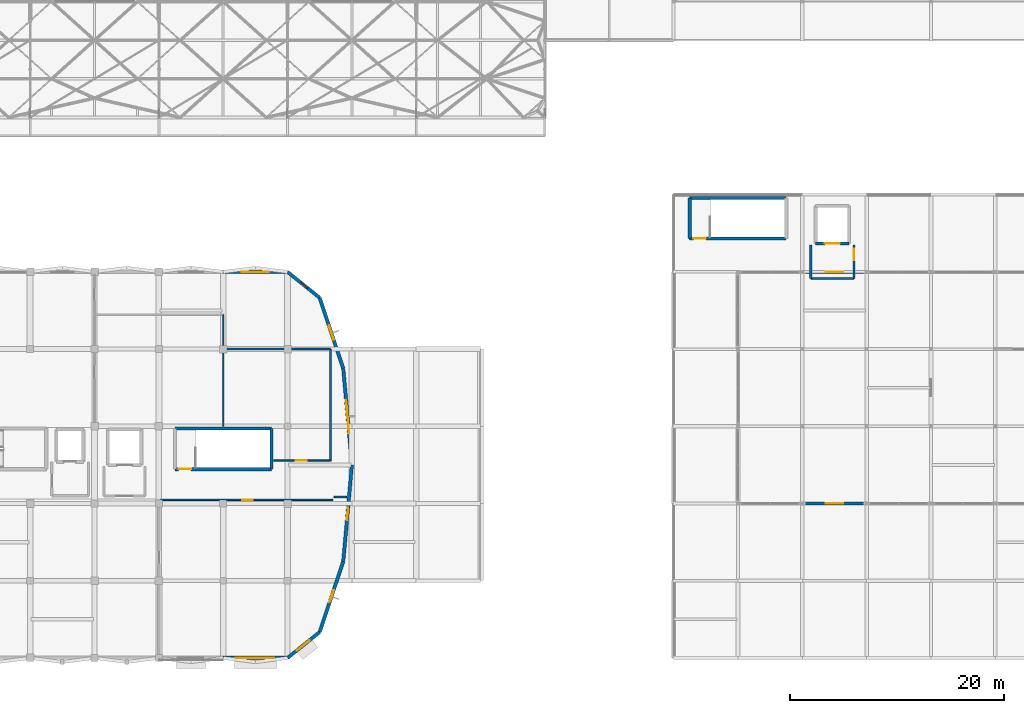
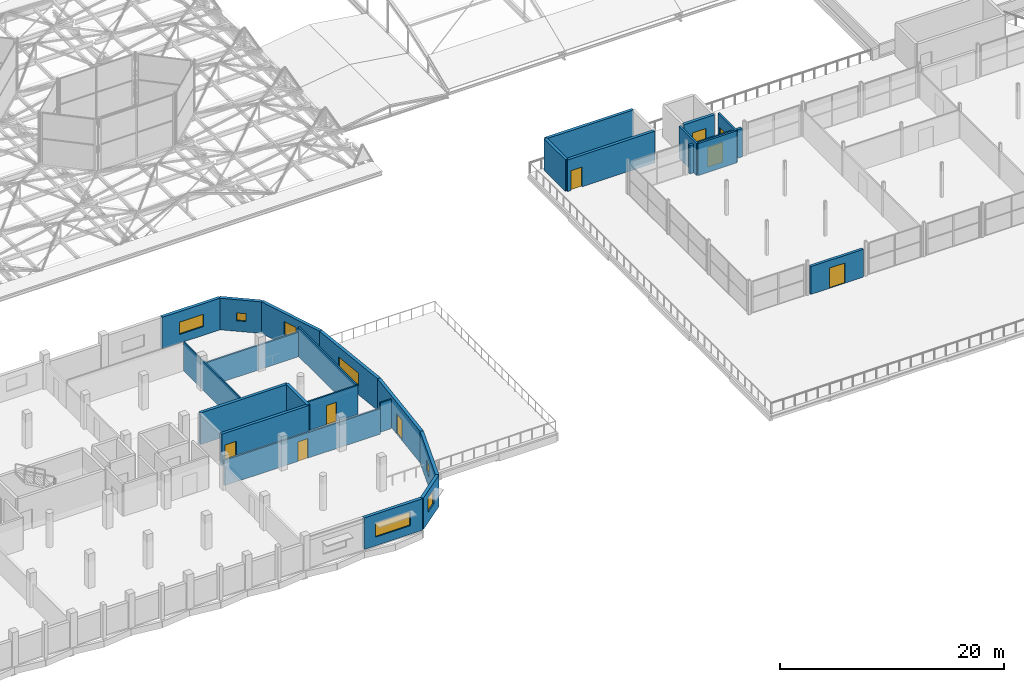
# One storey, part 228 of 239: 26 walls, 9 doors, 7 windows, 16 openings.
"""IFC4 building model written with IfcOpenShell, lengths in metres."""

import ifcopenshell
import ifcopenshell.guid

model = None  # the IFC model being written
_history = None  # IfcOwnerHistory: only IFC2X3 demands one
_inside = {}  # id of a spatial element -> (the spatial element, [elements in it])
_under = {}  # id of a project, library or spatial element -> (it, [spatial elements below it])
_declared = {}  # id of a project -> (the project, [libraries it declares])
_typed = {}  # id of a type object -> (the type object, [elements of that type])
_made_of = {}  # id of a material, layer set ... -> (it, [elements and type objects made of it])


def new_model(schema):
    """Start an empty IFC model of exactly this schema.

    Asked for "IFC4X3", IfcOpenShell would pick the latest addendum, in which some entities
    have other attributes; the version numbers below select the first issue.
    IFC2X3 requires an IfcOwnerHistory on every rooted entity: one is made here for all.
    """
    global model, _history
    if schema == "IFC4X3":
        model = ifcopenshell.file(schema_version=(4, 3, 0, 0))
    else:
        model = ifcopenshell.file(schema=schema)
    _inside.clear()
    _under.clear()
    _declared.clear()
    _typed.clear()
    _made_of.clear()
    _history = None
    if model.schema == "IFC2X3":
        org = make("IfcOrganization", Name="unknown")
        user = make(
            "IfcPersonAndOrganization",
            ThePerson=make("IfcPerson", FamilyName="unknown"),
            TheOrganization=org,
        )
        app = make(
            "IfcApplication",
            ApplicationDeveloper=org,
            Version="unknown",
            ApplicationFullName="unknown",
            ApplicationIdentifier="unknown",
        )
        _history = make(
            "IfcOwnerHistory",
            OwningUser=user,
            OwningApplication=app,
            ChangeAction="ADDED",
            CreationDate=0,
        )
    return model


def make(cls, **values):
    """One entity of the class cls with the attributes given. An attribute that is None is left unset."""
    return model.create_entity(
        cls, **{name: value for name, value in values.items() if value is not None}
    )


def rooted(cls, **values):
    """An entity with a GlobalId (a new one), such as an element, a storey or a relation."""
    return make(cls, GlobalId=ifcopenshell.guid.new(), OwnerHistory=_history, **values)


def si_unit(unit_type, name, prefix=None):
    """IfcSIUnit, for example si_unit("LENGTHUNIT", "METRE", prefix="MILLI")."""
    return make("IfcSIUnit", UnitType=unit_type, Prefix=prefix, Name=name)


def assignment(units):
    """IfcUnitAssignment: the units of a project."""
    return None if units is None else make("IfcUnitAssignment", Units=units)


def point(xyz):
    """IfcCartesianPoint."""
    return None if xyz is None else make("IfcCartesianPoint", Coordinates=xyz)


def direction(xyz):
    """IfcDirection."""
    return None if xyz is None else make("IfcDirection", DirectionRatios=xyz)


def frame(location, z_axis=None, x_axis=None):
    """IfcAxis2Placement3D, a coordinate frame: its origin and axes. An axis left out is left unset."""
    return make(
        "IfcAxis2Placement3D",
        Location=point(location),
        Axis=direction(z_axis),
        RefDirection=direction(x_axis),
    )


def frame_2d(location, x_axis=None):
    """IfcAxis2Placement2D, a coordinate frame in the plane: its origin and x axis."""
    return make(
        "IfcAxis2Placement2D", Location=point(location), RefDirection=direction(x_axis)
    )


def origin():
    """The frame at (0, 0, 0) with its axes left unset."""
    return frame((0.0, 0.0, 0.0))


def place(relative_to, where):
    """IfcLocalPlacement: puts the frame where relative to a parent placement (None: the world)."""
    return make(
        "IfcLocalPlacement", PlacementRelTo=relative_to, RelativePlacement=where
    )


def context(
    kind, dimensions, precision=None, world=None, true_north=None, identifier=None
):
    """IfcGeometricRepresentationContext, for example the 3D "Model" context."""
    return make(
        "IfcGeometricRepresentationContext",
        ContextIdentifier=identifier,
        ContextType=kind,
        CoordinateSpaceDimension=dimensions,
        Precision=precision,
        WorldCoordinateSystem=world,
        TrueNorth=true_north,
    )


def subcontext(parent, identifier, kind, view, scale=None):
    """IfcGeometricRepresentationSubContext, for example "Body" below "Model"."""
    return make(
        "IfcGeometricRepresentationSubContext",
        ContextIdentifier=identifier,
        ContextType=kind,
        ParentContext=parent,
        TargetScale=scale,
        TargetView=view,
    )


def project(units=None, contexts=None):
    """IfcProject with its units and contexts."""
    return rooted(
        "IfcProject",
        Name="project",
        RepresentationContexts=contexts,
        UnitsInContext=assignment(units),
    )


def spatial(cls, under=None, at=None, **own):
    """A site, building, storey or space (cls), placed at a placement, below another one or the project."""
    s = rooted(cls, ObjectPlacement=at, **own)
    if under is not None:
        _under.setdefault(under.id(), (under, []))[1].append(s)
    return s


def profile(cls, at=None, kind="AREA", **sizes):
    """A parametric profile (cls). Its sizes go by their IFC names, for example OverallWidth=200.0."""
    return make(cls, ProfileType=kind, Position=at, **sizes)


def rectangle(**sizes):
    """IfcRectangleProfileDef."""
    return profile("IfcRectangleProfileDef", **sizes)


def extrude(swept, where, along, depth):
    """IfcExtrudedAreaSolid: the profile swept, set in the frame where, extruded along a direction by depth."""
    return make(
        "IfcExtrudedAreaSolid",
        SweptArea=swept,
        Position=where,
        ExtrudedDirection=direction(along),
        Depth=depth,
    )


def shape(context_of_items, identifier, shape_type, items):
    """IfcShapeRepresentation: the items that make up one representation, for example the "Body"."""
    return make(
        "IfcShapeRepresentation",
        ContextOfItems=context_of_items,
        RepresentationIdentifier=identifier,
        RepresentationType=shape_type,
        Items=items,
    )


def material(Name=None, Category=None):
    """IfcMaterial."""
    return make("IfcMaterial", Name=Name, Category=Category)


def layer(
    of_material, thickness, ventilated=None, Name=None, Category=None, Priority=None
):
    """IfcMaterialLayer: one layer of a wall or slab, of a material (None: an air gap)."""
    return make(
        "IfcMaterialLayer",
        Material=of_material,
        LayerThickness=thickness,
        IsVentilated=ventilated,
        Name=Name,
        Category=Category,
        Priority=Priority,
    )


def layer_set(layers, Name=None):
    """IfcMaterialLayerSet."""
    return make("IfcMaterialLayerSet", MaterialLayers=layers, LayerSetName=Name)


def made_of(thing, what):
    """Note that an element or type object is made of a material, layer set ...; save() writes the relation."""
    if what is not None:
        _made_of.setdefault(what.id(), (what, []))[1].append(thing)
    return thing


def type_object(cls, material=None, **own):
    """A type object (cls), such as IfcWallType, which elements share."""
    return made_of(rooted(cls, **own), material)


def element(
    cls,
    number,
    at=None,
    inside=None,
    cuts=None,
    type_object=None,
    material=None,
    context=None,
    identifier="Body",
    shape_type=None,
    held_by="IfcProductDefinitionShape",
    body=None,
    shapes=None,
    **own,
):
    """One element of the class cls, such as IfcWall. Its Tag is "e" and its number.

    at: its placement. inside: the storey or other place that contains it. cuts: it is an
    opening in that element (IfcRelVoidsElement). A single representation is given by context,
    identifier, shape_type and body (its items); several are given by shapes. held_by: the class
    of the entity that holds the representations. save() writes the other relations.
    """
    e = rooted(cls, Tag="e%d" % number, ObjectPlacement=at, **own)
    if body is not None:
        shapes = [shape(context, identifier, shape_type, body)]
    if shapes is not None:
        e.Representation = make(held_by, Representations=shapes)
    if inside is not None:
        _inside.setdefault(inside.id(), (inside, []))[1].append(e)
    if cuts is not None:
        rooted(
            "IfcRelVoidsElement", RelatingBuildingElement=cuts, RelatedOpeningElement=e
        )
    if type_object is not None:
        _typed.setdefault(type_object.id(), (type_object, []))[1].append(e)
    return made_of(e, material)


def fill(opening, filler):
    """IfcRelFillsElement: the door or window that sits in an opening."""
    return rooted(
        "IfcRelFillsElement",
        RelatingOpeningElement=opening,
        RelatedBuildingElement=filler,
    )


def aggregate(whole, parts):
    """IfcRelAggregates: a whole, such as a stair, and the parts it consists of."""
    return rooted("IfcRelAggregates", RelatingObject=whole, RelatedObjects=parts)


def save(model, path):
    """Write the relations noted so far, then the file.

    IfcRelAggregates (storeys below a building ...), IfcRelContainedInSpatialStructure (elements
    in a storey), IfcRelDefinesByType, IfcRelAssociatesMaterial and IfcRelDeclares: one each for
    every whole, place, type object, material and project.
    """
    for whole, parts in _under.values():
        aggregate(whole, parts)
    for where, things in _inside.values():
        rooted(
            "IfcRelContainedInSpatialStructure",
            RelatedElements=things,
            RelatingStructure=where,
        )
    for kind, things in _typed.values():
        rooted("IfcRelDefinesByType", RelatedObjects=things, RelatingType=kind)
    for what, things in _made_of.values():
        rooted("IfcRelAssociatesMaterial", RelatedObjects=things, RelatingMaterial=what)
    for by, libraries in _declared.values():
        rooted("IfcRelDeclares", RelatingContext=by, RelatedDefinitions=libraries)
    model.write(path)


model = new_model("IFC4")

# Units and contexts
model_context = context("Model", 3, precision=1e-05, world=origin(), true_north=direction((0.0, 1.0)))
body_context = subcontext(model_context, "Body", "Model", "MODEL_VIEW")
ifc_project = project(units=[si_unit("LENGTHUNIT", "METRE"), si_unit("AREAUNIT", "SQUARE_METRE"), si_unit("VOLUMEUNIT", "CUBIC_METRE"), si_unit("PLANEANGLEUNIT", "RADIAN"), si_unit("MASSUNIT", "GRAM", prefix="KILO")], contexts=[model_context])

# Site, building, storey
site_placement = place(None, origin())
site = spatial("IfcSite", under=ifc_project, at=site_placement, CompositionType="ELEMENT")
building_placement = place(site_placement, origin())
building = spatial("IfcBuilding", under=site, at=building_placement, Name="Dunvalen Ferry Terminal", CompositionType="ELEMENT")
storey_placement = place(building_placement, frame((0.0, 0.0, 9.840087890625)))
storey = spatial("IfcBuildingStorey", under=building, at=storey_placement, Name="L02", CompositionType="ELEMENT", Elevation=9.840087890625)

# Wall, opening, door
ifc_material_1 = material(Name="Precast concrete C40/50", Category="concrete")
ifc_layer_1 = layer(ifc_material_1, 0.27001953125, Name="Precast concrete C40/50")
ifc_layer_set_1 = layer_set([ifc_layer_1], Name="Precast concrete C40/50")
wall_type_1 = type_object("IfcWallType", Name="ENV-WL-PAV270", PredefinedType="SOLIDWALL", material=ifc_layer_set_1)
wall_1_placement = place(storey_placement, frame((120.300048828125, 14.39990234375, 0.0), z_axis=(0.0, 0.0, 1.0), x_axis=(1.0, 0.0, 0.0)))
wall_1 = element("IfcWall", 1, at=wall_1_placement, inside=storey, type_object=wall_type_1, Name="L02 Promenade Pavilion S Entrance Wall 2", PredefinedType="SOLIDWALL", context=body_context, shape_type="SweptSolid", body=[
    extrude(rectangle(XDim=5.39990234375, YDim=0.27001953125, at=frame_2d((2.699951171875, 0.0))), origin(), (0.0, 0.0, 1.0), 3.032958984375),
])
opening_1_placement = place(wall_1_placement, frame((1.89990234375, 0.0, 0.0)))
opening_1 = element("IfcOpeningElement", 2, at=opening_1_placement, cuts=wall_1, Name="Opening ED-04", PredefinedType="OPENING", context=body_context, shape_type="SweptSolid", body=[
    extrude(rectangle(XDim=1.60009765625, YDim=2.199951171875, at=frame_2d((0.800048828125, 1.10009765625))), frame((0.0, 0.14501953125, 0.0), z_axis=(0.0, -1.0, 0.0), x_axis=(1.0, 0.0, 0.0)), (0.0, 0.0, 1.0), 0.2900390625),
])
ifc_material_2 = material(Name="Marine grade powder-coated aluminium and laminated glass", Category="aluminium")
door_type_1 = type_object("IfcDoorType", Name="ENV-DR-EXT-1600", OperationType="DOUBLE_SWING_LEFT", PredefinedType="DOOR", material=ifc_material_2)
door_1_placement = place(opening_1_placement, frame((1.60009765625, 0.0, 0.0), z_axis=(0.0, 0.0, 1.0), x_axis=(-1.0, 0.0, 0.0)))
door_1 = element("IfcDoor", 3, at=door_1_placement, inside=storey, type_object=door_type_1, Name="L02 Promenade Pavilion S Terrace Door 2", OperationType="DOUBLE_SWING_LEFT", OverallHeight=2.199951171875, OverallWidth=1.60009765625, PredefinedType="DOOR", context=body_context, shape_type="SweptSolid", body=[
    extrude(rectangle(XDim=1.60009765625, YDim=2.199951171875, at=frame_2d((0.800048828125, 1.10009765625))), frame((0.0, 0.02490234375, 0.0), z_axis=(0.0, -1.0, 0.0), x_axis=(1.0, 0.0, 0.0)), (0.0, 0.0, 1.0), 0.050048828125),
])
fill(opening_1, door_1)

wall_2_placement = place(storey_placement, frame((120.300048828125, 36.0, 0.0), z_axis=(0.0, 0.0, 1.0), x_axis=(1.0, 0.0, 0.0)))
wall_2 = element("IfcWall", 4, at=wall_2_placement, inside=storey, type_object=wall_type_1, Name="L02 Promenade Pavilion N Entrance Wall 2", PredefinedType="SOLIDWALL", context=body_context, shape_type="SweptSolid", body=[
    extrude(rectangle(XDim=5.39990234375, YDim=0.27001953125, at=frame_2d((2.699951171875, 0.0))), origin(), (0.0, 0.0, 1.0), 3.08349609375),
])
opening_2_placement = place(wall_2_placement, frame((1.89990234375, 0.0, 0.0)))
opening_2 = element("IfcOpeningElement", 5, at=opening_2_placement, cuts=wall_2, Name="Opening ED-04", PredefinedType="OPENING", context=body_context, shape_type="SweptSolid", body=[
    extrude(rectangle(XDim=1.60009765625, YDim=2.199951171875, at=frame_2d((0.800048828125, 1.10009765625))), frame((0.0, 0.14501953125, 0.0), z_axis=(0.0, -1.0, 0.0), x_axis=(1.0, 0.0, 0.0)), (0.0, 0.0, 1.0), 0.2900390625),
])
door_2_placement = place(opening_2_placement, origin())
door_2 = element("IfcDoor", 6, at=door_2_placement, inside=storey, type_object=door_type_1, Name="L02 Promenade Pavilion N Terrace Door 2", OperationType="DOUBLE_SWING_LEFT", OverallHeight=2.199951171875, OverallWidth=1.60009765625, PredefinedType="DOOR", context=body_context, shape_type="SweptSolid", body=[
    extrude(rectangle(XDim=1.60009765625, YDim=2.199951171875, at=frame_2d((0.800048828125, 1.10009765625))), frame((0.0, 0.02490234375, 0.0), z_axis=(0.0, -1.0, 0.0), x_axis=(1.0, 0.0, 0.0)), (0.0, 0.0, 1.0), 0.050048828125),
])
fill(opening_2, door_2)

# Wall, opening, window
ifc_layer_2 = layer(ifc_material_1, 0.320068359375, Name="Precast concrete C40/50")
ifc_layer_set_2 = layer_set([ifc_layer_2], Name="Precast concrete C40/50")
wall_type_2 = type_object("IfcWallType", Name="ENV-WL-SPN320", PredefinedType="SOLIDWALL", material=ifc_layer_set_2)
wall_3_placement = place(storey_placement, frame((66.0, 0.0, 0.0), z_axis=(0.0, 0.0, 1.0), x_axis=(1.0, 0.0, 0.0)))
wall_3 = element("IfcWall", 7, at=wall_3_placement, inside=storey, type_object=wall_type_2, Name="L02 Streamline Moderne Facade Wall 01.10", PredefinedType="SOLIDWALL", context=body_context, shape_type="SweptSolid", body=[
    extrude(rectangle(XDim=6.0, YDim=0.320068359375, at=frame_2d((3.0, 0.0))), origin(), (0.0, 0.0, 1.0), 3.43994140625),
])
opening_3_placement = place(wall_3_placement, frame((1.148193359375, 0.0, 0.949951171875)))
opening_3 = element("IfcOpeningElement", 8, at=opening_3_placement, cuts=wall_3, Name="Opening W-23", PredefinedType="OPENING", context=body_context, shape_type="SweptSolid", body=[
    extrude(rectangle(XDim=3.60009765625, YDim=1.5, at=frame_2d((1.800048828125, 0.75))), frame((0.0, 0.169921875, 0.0), z_axis=(0.0, -1.0, 0.0), x_axis=(1.0, 0.0, 0.0)), (0.0, 0.0, 1.0), 0.340087890625),
])
ifc_material_3 = material(Name="Thermally broken aluminium and double glazing", Category="aluminium")
window_type_1 = type_object("IfcWindowType", Name="ENV-WIN-RIB-23", PartitioningType="SINGLE_PANEL", PredefinedType="WINDOW", material=ifc_material_3)
window_1_placement = place(opening_3_placement, origin())
window_1 = element("IfcWindow", 9, at=window_1_placement, inside=storey, type_object=window_type_1, Name="L02 Streamline Ribbon Window 01.10", OverallHeight=1.5, OverallWidth=3.60009765625, PartitioningType="SINGLE_PANEL", PredefinedType="WINDOW", context=body_context, shape_type="SweptSolid", body=[
    extrude(rectangle(XDim=3.60009765625, YDim=1.5, at=frame_2d((1.800048828125, 0.75))), frame((0.0, 0.030029296875, 0.0), z_axis=(0.0, -1.0, 0.0), x_axis=(1.0, 0.0, 0.0)), (0.0, 0.0, 1.0), 0.06005859375),
])
fill(opening_3, window_1)

wall_4_placement = place(storey_placement, frame((72.0, 0.0, 0.0), z_axis=(0.0, 0.0, 1.0), x_axis=(0.779393889884, 0.626534248395, 0.0)))
wall_4 = element("IfcWall", 10, at=wall_4_placement, inside=storey, type_object=wall_type_2, Name="L02 Streamline Moderne Facade Wall 02.01", PredefinedType="SOLIDWALL", context=body_context, shape_type="SweptSolid", body=[
    extrude(rectangle(XDim=3.84912109375, YDim=0.320068359375, at=frame_2d((1.924560546875, 0.0))), origin(), (0.0, 0.0, 1.0), 3.43994140625),
])
opening_4_placement = place(wall_4_placement, frame((1.124267578125, 0.0, 1.14990234375)))
opening_4 = element("IfcOpeningElement", 11, at=opening_4_placement, cuts=wall_4, Name="Opening W-44", PredefinedType="OPENING", context=body_context, shape_type="SweptSolid", body=[
    extrude(rectangle(XDim=1.5, YDim=1.5, at=frame_2d((0.75, 0.75))), frame((0.0, 0.169921875, 0.0), z_axis=(0.0, -1.0, 0.0), x_axis=(1.0, 0.0, 0.0)), (0.0, 0.0, 1.0), 0.340087890625),
])
window_type_2 = type_object("IfcWindowType", Name="ENV-WIN-PRT-44", PartitioningType="SINGLE_PANEL", PredefinedType="WINDOW", material=ifc_material_3)
window_2_placement = place(opening_4_placement, origin())
window_2 = element("IfcWindow", 12, at=window_2_placement, inside=storey, type_object=window_type_2, Name="L02 Streamline Ribbon Window 02.01", OverallHeight=1.5, OverallWidth=1.5, PartitioningType="SINGLE_PANEL", PredefinedType="WINDOW", context=body_context, shape_type="SweptSolid", body=[
    extrude(rectangle(XDim=1.5, YDim=1.5, at=frame_2d((0.75, 0.75))), frame((0.0, 0.030029296875, 0.0), z_axis=(0.0, -1.0, 0.0), x_axis=(1.0, 0.0, 0.0)), (0.0, 0.0, 1.0), 0.06005859375),
])
fill(opening_4, window_2)

wall_5_placement = place(storey_placement, frame((75.0, 2.41162109375, 0.0), z_axis=(0.0, 0.0, 1.0), x_axis=(0.31624885857, 0.948676266939, 0.0)))
wall_5 = element("IfcWall", 13, at=wall_5_placement, inside=storey, type_object=wall_type_2, Name="L02 Streamline Moderne Facade Wall 03.01", PredefinedType="SOLIDWALL", context=body_context, shape_type="SweptSolid", body=[
    extrude(rectangle(XDim=6.94482421875, YDim=0.320068359375, at=frame_2d((3.472412109375, 0.0))), origin(), (0.0, 0.0, 1.0), 3.43994140625),
])
opening_5_placement = place(wall_5_placement, frame((2.922607421875, 0.0, 1.14990234375)))
opening_5 = element("IfcOpeningElement", 14, at=opening_5_placement, cuts=wall_5, Name="Opening W-17", PredefinedType="OPENING", context=body_context, shape_type="SweptSolid", body=[
    extrude(rectangle(XDim=1.199951171875, YDim=1.199951171875, at=frame_2d((0.60009765625, 0.60009765625))), frame((0.0, 0.169921875, 0.0), z_axis=(0.0, -1.0, 0.0), x_axis=(1.0, 0.0, 0.0)), (0.0, 0.0, 1.0), 0.340087890625),
])
window_type_3 = type_object("IfcWindowType", Name="ENV-WIN-PRT-17", PartitioningType="SINGLE_PANEL", PredefinedType="WINDOW", material=ifc_material_3)
window_3_placement = place(opening_5_placement, origin())
window_3 = element("IfcWindow", 15, at=window_3_placement, inside=storey, type_object=window_type_3, Name="L02 Streamline Ribbon Window 03.01", OverallHeight=1.199951171875, OverallWidth=1.199951171875, PartitioningType="SINGLE_PANEL", PredefinedType="WINDOW", context=body_context, shape_type="SweptSolid", body=[
    extrude(rectangle(XDim=1.199951171875, YDim=1.199951171875, at=frame_2d((0.60009765625, 0.60009765625))), frame((0.0, 0.030029296875, 0.0), z_axis=(0.0, -1.0, 0.0), x_axis=(1.0, 0.0, 0.0)), (0.0, 0.0, 1.0), 0.06005859375),
])
fill(opening_5, window_3)

# Wall, opening, door
wall_6_placement = place(storey_placement, frame((77.1962890625, 9.0, 0.0), z_axis=(0.0, 0.0, 1.0), x_axis=(0.088947255406, 0.996036337568, 0.0)))
wall_6 = element("IfcWall", 16, at=wall_6_placement, inside=storey, type_object=wall_type_2, Name="L02 Streamline Moderne Facade Wall 04.01", PredefinedType="SOLIDWALL", context=body_context, shape_type="SweptSolid", body=[
    extrude(rectangle(XDim=9.035888671875, YDim=0.320068359375, at=frame_2d((4.51806640625, 0.0))), origin(), (0.0, 0.0, 1.0), 3.43994140625),
])
opening_6_placement = place(wall_6_placement, frame((3.841796875, 0.0, 0.0)))
opening_6 = element("IfcOpeningElement", 17, at=opening_6_placement, cuts=wall_6, Name="Opening ED-05", PredefinedType="OPENING", context=body_context, shape_type="SweptSolid", body=[
    extrude(rectangle(XDim=1.199951171875, YDim=2.199951171875, at=frame_2d((0.60009765625, 1.10009765625))), frame((0.0, 0.169921875, 0.0), z_axis=(0.0, -1.0, 0.0), x_axis=(1.0, 0.0, 0.0)), (0.0, 0.0, 1.0), 0.340087890625),
])
door_type_2 = type_object("IfcDoorType", Name="ENV-DR-EXT-1200", OperationType="NOTDEFINED", PredefinedType="DOOR", material=ifc_material_2)
door_3_placement = place(opening_6_placement, frame((1.199951171875, 0.0, 0.0), z_axis=(0.0, 0.0, 1.0), x_axis=(-1.0, 0.0, 0.0)))
door_3 = element("IfcDoor", 18, at=door_3_placement, inside=storey, type_object=door_type_2, Name="L02 East Prow Terrace Lounge Access Door", OperationType="SINGLE_SWING_LEFT", OverallHeight=2.199951171875, OverallWidth=1.199951171875, PredefinedType="DOOR", context=body_context, shape_type="SweptSolid", body=[
    extrude(rectangle(XDim=1.199951171875, YDim=2.199951171875, at=frame_2d((0.60009765625, 1.10009765625))), frame((0.0, 0.02490234375, 0.0), z_axis=(0.0, -1.0, 0.0), x_axis=(1.0, 0.0, 0.0)), (0.0, 0.0, 1.0), 0.050048828125),
])
fill(opening_6, door_3)

# Wall, opening, window
wall_7_placement = place(storey_placement, frame((78.0, 18.0, 0.0), z_axis=(0.0, 0.0, 1.0), x_axis=(-0.088947255406, 0.996036337568, 0.0)))
wall_7 = element("IfcWall", 19, at=wall_7_placement, inside=storey, type_object=wall_type_2, Name="L02 Streamline Moderne Facade Wall 05.01", PredefinedType="SOLIDWALL", context=body_context, shape_type="SweptSolid", body=[
    extrude(rectangle(XDim=9.035888671875, YDim=0.320068359375, at=frame_2d((4.51806640625, 0.0))), origin(), (0.0, 0.0, 1.0), 3.43994140625),
])
opening_7_placement = place(wall_7_placement, frame((2.968017578125, 0.0, 0.949951171875)))
opening_7 = element("IfcOpeningElement", 20, at=opening_7_placement, cuts=wall_7, Name="Opening W-26", PredefinedType="OPENING", context=body_context, shape_type="SweptSolid", body=[
    extrude(rectangle(XDim=3.10009765625, YDim=1.39990234375, at=frame_2d((1.550048828125, 0.699951171875))), frame((0.0, 0.169921875, 0.0), z_axis=(0.0, -1.0, 0.0), x_axis=(1.0, 0.0, 0.0)), (0.0, 0.0, 1.0), 0.340087890625),
])
window_type_4 = type_object("IfcWindowType", Name="ENV-WIN-RIB-26", PartitioningType="SINGLE_PANEL", PredefinedType="WINDOW", material=ifc_material_3)
window_4_placement = place(opening_7_placement, origin())
window_4 = element("IfcWindow", 21, at=window_4_placement, inside=storey, type_object=window_type_4, Name="L02 Streamline Ribbon Window 05.01", OverallHeight=1.39990234375, OverallWidth=3.10009765625, PartitioningType="SINGLE_PANEL", PredefinedType="WINDOW", context=body_context, shape_type="SweptSolid", body=[
    extrude(rectangle(XDim=3.10009765625, YDim=1.39990234375, at=frame_2d((1.550048828125, 0.699951171875))), frame((0.0, 0.030029296875, 0.0), z_axis=(0.0, -1.0, 0.0), x_axis=(1.0, 0.0, 0.0)), (0.0, 0.0, 1.0), 0.06005859375),
])
fill(opening_7, window_4)

wall_8_placement = place(storey_placement, frame((77.1962890625, 27.0, 0.0), z_axis=(0.0, 0.0, 1.0), x_axis=(-0.31624885857, 0.948676266939, 0.0)))
wall_8 = element("IfcWall", 22, at=wall_8_placement, inside=storey, type_object=wall_type_2, Name="L02 Streamline Moderne Facade Wall 06.01", PredefinedType="SOLIDWALL", context=body_context, shape_type="SweptSolid", body=[
    extrude(rectangle(XDim=6.94482421875, YDim=0.320068359375, at=frame_2d((3.472412109375, 0.0))), origin(), (0.0, 0.0, 1.0), 3.43994140625),
])
opening_8_placement = place(wall_8_placement, frame((2.822509765625, 0.0, 1.14990234375)))
opening_8 = element("IfcOpeningElement", 23, at=opening_8_placement, cuts=wall_8, Name="Opening W-19", PredefinedType="OPENING", context=body_context, shape_type="SweptSolid", body=[
    extrude(rectangle(XDim=1.39990234375, YDim=1.39990234375, at=frame_2d((0.699951171875, 0.699951171875))), frame((0.0, 0.169921875, 0.0), z_axis=(0.0, -1.0, 0.0), x_axis=(1.0, 0.0, 0.0)), (0.0, 0.0, 1.0), 0.340087890625),
])
window_type_5 = type_object("IfcWindowType", Name="ENV-WIN-PRT-19", PartitioningType="SINGLE_PANEL", PredefinedType="WINDOW", material=ifc_material_3)
window_5_placement = place(opening_8_placement, origin())
window_5 = element("IfcWindow", 24, at=window_5_placement, inside=storey, type_object=window_type_5, Name="L02 Streamline Ribbon Window 06.01", OverallHeight=1.39990234375, OverallWidth=1.39990234375, PartitioningType="SINGLE_PANEL", PredefinedType="WINDOW", context=body_context, shape_type="SweptSolid", body=[
    extrude(rectangle(XDim=1.39990234375, YDim=1.39990234375, at=frame_2d((0.699951171875, 0.699951171875))), frame((0.0, 0.030029296875, 0.0), z_axis=(0.0, -1.0, 0.0), x_axis=(1.0, 0.0, 0.0)), (0.0, 0.0, 1.0), 0.06005859375),
])
fill(opening_8, window_5)

wall_9_placement = place(storey_placement, frame((75.0, 33.58837890625, 0.0), z_axis=(0.0, 0.0, 1.0), x_axis=(-0.779393889884, 0.626534248395, 0.0)))
wall_9 = element("IfcWall", 25, at=wall_9_placement, inside=storey, type_object=wall_type_2, Name="L02 Streamline Moderne Facade Wall 07.01", PredefinedType="SOLIDWALL", context=body_context, shape_type="SweptSolid", body=[
    extrude(rectangle(XDim=3.84912109375, YDim=0.320068359375, at=frame_2d((1.924560546875, 0.0))), origin(), (0.0, 0.0, 1.0), 3.43994140625),
])
opening_9_placement = place(wall_9_placement, frame((1.4482421875, 0.0, 1.14990234375)))
opening_9 = element("IfcOpeningElement", 26, at=opening_9_placement, cuts=wall_9, Name="Opening W-20", PredefinedType="OPENING", context=body_context, shape_type="SweptSolid", body=[
    extrude(rectangle(XDim=0.85009765625, YDim=0.85009765625, at=frame_2d((0.425048828125, 0.425048828125))), frame((0.0, 0.169921875, 0.0), z_axis=(0.0, -1.0, 0.0), x_axis=(1.0, 0.0, 0.0)), (0.0, 0.0, 1.0), 0.340087890625),
])
window_type_6 = type_object("IfcWindowType", Name="ENV-WIN-PRT-20", PartitioningType="SINGLE_PANEL", PredefinedType="WINDOW", material=ifc_material_3)
window_6_placement = place(opening_9_placement, origin())
window_6 = element("IfcWindow", 27, at=window_6_placement, inside=storey, type_object=window_type_6, Name="L02 Streamline Ribbon Window 07.01", OverallHeight=0.85009765625, OverallWidth=0.85009765625, PartitioningType="SINGLE_PANEL", PredefinedType="WINDOW", context=body_context, shape_type="SweptSolid", body=[
    extrude(rectangle(XDim=0.85009765625, YDim=0.85009765625, at=frame_2d((0.425048828125, 0.425048828125))), frame((0.0, 0.030029296875, 0.0), z_axis=(0.0, -1.0, 0.0), x_axis=(1.0, 0.0, 0.0)), (0.0, 0.0, 1.0), 0.06005859375),
])
fill(opening_9, window_6)

wall_10_placement = place(storey_placement, frame((72.0, 36.0, 0.0), z_axis=(0.0, 0.0, 1.0), x_axis=(-1.0, 0.0, 0.0)))
wall_10 = element("IfcWall", 28, at=wall_10_placement, inside=storey, type_object=wall_type_2, Name="L02 Streamline Moderne Facade Wall 08.01", PredefinedType="SOLIDWALL", context=body_context, shape_type="SweptSolid", body=[
    extrude(rectangle(XDim=6.0, YDim=0.320068359375, at=frame_2d((3.0, 0.0))), origin(), (0.0, 0.0, 1.0), 3.43994140625),
])
opening_10_placement = place(wall_10_placement, frame((1.75, 0.0, 0.949951171875)))
opening_10 = element("IfcOpeningElement", 29, at=opening_10_placement, cuts=wall_10, Name="Opening W-29", PredefinedType="OPENING", context=body_context, shape_type="SweptSolid", body=[
    extrude(rectangle(XDim=2.5, YDim=1.35009765625, at=frame_2d((1.25, 0.675048828125))), frame((0.0, 0.169921875, 0.0), z_axis=(0.0, -1.0, 0.0), x_axis=(1.0, 0.0, 0.0)), (0.0, 0.0, 1.0), 0.340087890625),
])
window_type_7 = type_object("IfcWindowType", Name="ENV-WIN-RIB-29", PartitioningType="SINGLE_PANEL", PredefinedType="WINDOW", material=ifc_material_3)
window_7_placement = place(opening_10_placement, origin())
window_7 = element("IfcWindow", 30, at=window_7_placement, inside=storey, type_object=window_type_7, Name="L02 Streamline Ribbon Window 08.01", OverallHeight=1.35009765625, OverallWidth=2.5, PartitioningType="SINGLE_PANEL", PredefinedType="WINDOW", context=body_context, shape_type="SweptSolid", body=[
    extrude(rectangle(XDim=2.5, YDim=1.35009765625, at=frame_2d((1.25, 0.675048828125))), frame((0.0, 0.030029296875, 0.0), z_axis=(0.0, -1.0, 0.0), x_axis=(1.0, 0.0, 0.0)), (0.0, 0.0, 1.0), 0.06005859375),
])
fill(opening_10, window_7)

# Walls
ifc_material_4 = material(Name="Autoclaved aerated concrete blockwork", Category="masonry")
ifc_layer_3 = layer(ifc_material_4, 0.199951171875, Name="Autoclaved aerated concrete blockwork")
ifc_layer_set_3 = layer_set([ifc_layer_3], Name="Autoclaved aerated concrete blockwork")
wall_type_3 = type_object("IfcWallType", Name="INT-WL-CMP200", PredefinedType="PARTITIONING", material=ifc_layer_set_3)
wall_11_placement = place(storey_placement, frame((120.7900390625, 38.510009765625, 0.0), z_axis=(0.0, 0.0, 1.0), x_axis=(0.0, -1.0, 0.0)))
element("IfcWall", 31, at=wall_11_placement, inside=storey, type_object=wall_type_3, Name="L02 L02 Lift Lobby LG-02 Partition 1", PredefinedType="PARTITIONING", context=body_context, shape_type="SweptSolid", body=[
    extrude(rectangle(XDim=3.1201171875, YDim=0.199951171875, at=frame_2d((1.56005859375, 0.0))), origin(), (0.0, 0.0, 1.0), 3.47998046875),
])
wall_12_placement = place(storey_placement, frame((120.7900390625, 35.389892578125, 0.0), z_axis=(0.0, 0.0, 1.0), x_axis=(1.0, 0.0, 0.0)))
element("IfcWall", 32, at=wall_12_placement, inside=storey, type_object=wall_type_3, Name="L02 L02 Lift Lobby LG-02 Partition 2", PredefinedType="PARTITIONING", context=body_context, shape_type="SweptSolid", body=[
    extrude(rectangle(XDim=4.02001953125, YDim=0.199951171875, at=frame_2d((2.010009765625, 0.0))), origin(), (0.0, 0.0, 1.0), 3.47998046875),
])

# Wall, opening, door
wall_13_placement = place(storey_placement, frame((124.81005859375, 35.389892578125, 0.0), z_axis=(0.0, 0.0, 1.0), x_axis=(0.0, 1.0, 0.0)))
wall_13 = element("IfcWall", 33, at=wall_13_placement, inside=storey, type_object=wall_type_3, Name="L02 L02 Lift Lobby LG-02 Partition 3", PredefinedType="PARTITIONING", context=body_context, shape_type="SweptSolid", body=[
    extrude(rectangle(XDim=3.1201171875, YDim=0.199951171875, at=frame_2d((1.56005859375, 0.0))), origin(), (0.0, 0.0, 1.0), 3.47998046875),
])
opening_11_placement = place(wall_13_placement, frame((1.679931640625, 0.0, 0.0)))
opening_11 = element("IfcOpeningElement", 34, at=opening_11_placement, cuts=wall_13, Name="Opening ID-03", PredefinedType="OPENING", context=body_context, shape_type="SweptSolid", body=[
    extrude(rectangle(XDim=1.10009765625, YDim=2.14990234375, at=frame_2d((0.550048828125, 1.074951171875))), frame((0.0, 0.10986328125, 0.0), z_axis=(0.0, -1.0, 0.0), x_axis=(1.0, 0.0, 0.0)), (0.0, 0.0, 1.0), 0.219970703125),
])
ifc_material_5 = material(Name="Powder-coated steel fire door", Category="steel")
door_type_3 = type_object("IfcDoorType", Name="INT-DR-FFL-1100", OperationType="NOTDEFINED", PredefinedType="DOOR", material=ifc_material_5)
door_4_placement = place(opening_11_placement, origin())
door_4 = element("IfcDoor", 35, at=door_4_placement, inside=storey, type_object=door_type_3, Name="L02 Lift Lobby LG-02 Door", OperationType="SINGLE_SWING_RIGHT", OverallHeight=2.14990234375, OverallWidth=1.10009765625, PredefinedType="DOOR", context=body_context, shape_type="SweptSolid", body=[
    extrude(rectangle(XDim=1.10009765625, YDim=2.14990234375, at=frame_2d((0.550048828125, 1.074951171875))), frame((0.0, 0.02490234375, 0.0), z_axis=(0.0, -1.0, 0.0), x_axis=(1.0, 0.0, 0.0)), (0.0, 0.0, 1.0), 0.050048828125),
])
fill(opening_11, door_4)

# Walls
ifc_material_6 = material(Name="Metal-stud partition", Category="gypsum")
ifc_layer_4 = layer(ifc_material_6, 0.125, Name="Metal-stud partition")
ifc_layer_set_4 = layer_set([ifc_layer_4], Name="Metal-stud partition")
wall_type_4 = type_object("IfcWallType", Name="INT-WL-PRT125", PredefinedType="PARTITIONING", material=ifc_layer_set_4)
wall_14_placement = place(storey_placement, frame((66.0, 21.610107421875, 0.0), z_axis=(0.0, 0.0, 1.0), x_axis=(0.0, 1.0, 0.0)))
element("IfcWall", 36, at=wall_14_placement, inside=storey, type_object=wall_type_4, Name="L02 L02 Maritime Chart Room and Navigation Archive Partition 4", PredefinedType="PARTITIONING", context=body_context, shape_type="SweptSolid", body=[
    extrude(rectangle(XDim=10.389892578125, YDim=0.125, at=frame_2d((5.19482421875, 0.0))), origin(), (0.0, 0.0, 1.0), 3.159912109375),
])
ifc_material_7 = material(Name="Moisture-resistant tile-backer partition", Category="gypsum")
ifc_layer_5 = layer(ifc_material_7, 0.159912109375, Name="Moisture-resistant tile-backer partition")
ifc_layer_set_5 = layer_set([ifc_layer_5], Name="Moisture-resistant tile-backer partition")
wall_type_5 = type_object("IfcWallType", Name="INT-WL-PRT160", PredefinedType="PARTITIONING", material=ifc_layer_set_5)
wall_15_placement = place(storey_placement, frame((77.51123046875, 15.0, 0.0), z_axis=(0.0, 0.0, 1.0), x_axis=(-1.0, 0.0, 0.0)))
element("IfcWall", 37, at=wall_15_placement, inside=storey, type_object=wall_type_5, Name="L02 L02 East Prow Terrace Lounge and Briefing Room Partition 2", PredefinedType="PARTITIONING", context=body_context, shape_type="SweptSolid", body=[
    extrude(rectangle(XDim=1.151123046875, YDim=0.159912109375, at=frame_2d((0.57568359375, 0.0))), origin(), (0.0, 0.0, 1.0), 3.159912109375),
])

# Wall, opening, door
wall_16_placement = place(storey_placement, frame((76.199951171875, 14.739990234375, 0.0), z_axis=(0.0, 0.0, 1.0), x_axis=(-1.0, 0.0, 0.0)))
wall_16 = element("IfcWall", 38, at=wall_16_placement, inside=storey, type_object=wall_type_5, Name="L02 L02 East Prow Terrace Lounge and Briefing Room Partition 5", PredefinedType="PARTITIONING", context=body_context, shape_type="SweptSolid", body=[
    extrude(rectangle(XDim=16.0400390625, YDim=0.159912109375, at=frame_2d((8.02001953125, 0.0))), origin(), (0.0, 0.0, 1.0), 2.77001953125),
])
opening_12_placement = place(wall_16_placement, frame((7.4443359375, 0.0, 0.0)))
opening_12 = element("IfcOpeningElement", 39, at=opening_12_placement, cuts=wall_16, Name="Opening ID-10", PredefinedType="OPENING", context=body_context, shape_type="SweptSolid", body=[
    extrude(rectangle(XDim=1.0, YDim=2.1201171875, at=frame_2d((0.5, 1.06005859375))), frame((0.0, 0.08984375, 0.0), z_axis=(0.0, -1.0, 0.0), x_axis=(1.0, 0.0, 0.0)), (0.0, 0.0, 1.0), 0.179931640625),
])
ifc_material_8 = material(Name="FSC European oak acoustic fire door", Category="wood")
door_type_4 = type_object("IfcDoorType", Name="INT-DR-OFF-1000", OperationType="NOTDEFINED", PredefinedType="DOOR", material=ifc_material_8)
door_5_placement = place(opening_12_placement, origin())
door_5 = element("IfcDoor", 40, at=door_5_placement, inside=storey, type_object=door_type_4, Name="L02 East Prow Terrace Lounge and Briefing Room Door", OperationType="SINGLE_SWING_RIGHT", OverallHeight=2.1201171875, OverallWidth=1.0, PredefinedType="DOOR", context=body_context, shape_type="SweptSolid", body=[
    extrude(rectangle(XDim=1.0, YDim=2.1201171875, at=frame_2d((0.5, 1.06005859375))), frame((0.0, 0.02490234375, 0.0), z_axis=(0.0, -1.0, 0.0), x_axis=(1.0, 0.0, 0.0)), (0.0, 0.0, 1.0), 0.050048828125),
])
fill(opening_12, door_5)

# Wall
wall_17_placement = place(storey_placement, frame((76.0, 28.800048828125, 0.0), z_axis=(0.0, 0.0, 1.0), x_axis=(-1.0, 0.0, 0.0)))
element("IfcWall", 41, at=wall_17_placement, inside=storey, type_object=wall_type_5, Name="L02 L02 Dispatch Wing Staff and Accessible Toilets Partition 1", PredefinedType="PARTITIONING", context=body_context, shape_type="SweptSolid", body=[
    extrude(rectangle(XDim=9.840087890625, YDim=0.159912109375, at=frame_2d((4.919921875, 0.0))), origin(), (0.0, 0.0, 1.0), 2.669921875),
])

# Wall, opening, door
wall_18_placement = place(storey_placement, frame((70.7099609375, 18.39990234375, 0.0), z_axis=(0.0, 0.0, 1.0), x_axis=(1.0, 0.0, 0.0)))
wall_18 = element("IfcWall", 42, at=wall_18_placement, inside=storey, type_object=wall_type_5, Name="L02 L02 Dispatch Wing Staff and Accessible Toilets Partition 6", PredefinedType="PARTITIONING", context=body_context, shape_type="SweptSolid", body=[
    extrude(rectangle(XDim=5.2900390625, YDim=0.159912109375, at=frame_2d((2.64501953125, 0.0))), origin(), (0.0, 0.0, 1.0), 3.159912109375),
])
opening_13_placement = place(wall_18_placement, frame((2.056884765625, 0.0, 0.0)))
opening_13 = element("IfcOpeningElement", 43, at=opening_13_placement, cuts=wall_18, Name="Opening ID-13", PredefinedType="OPENING", context=body_context, shape_type="SweptSolid", body=[
    extrude(rectangle(XDim=1.02001953125, YDim=2.10009765625, at=frame_2d((0.510009765625, 1.050048828125))), frame((0.0, 0.08984375, 0.0), z_axis=(0.0, -1.0, 0.0), x_axis=(1.0, 0.0, 0.0)), (0.0, 0.0, 1.0), 0.179931640625),
])
ifc_material_9 = material(Name="High-pressure laminate moisture-resistant door", Category="wood")
door_type_5 = type_object("IfcDoorType", Name="INT-DR-WC-1020", OperationType="NOTDEFINED", PredefinedType="DOOR", material=ifc_material_9)
door_6_placement = place(opening_13_placement, origin())
door_6 = element("IfcDoor", 44, at=door_6_placement, inside=storey, type_object=door_type_5, Name="L02 Dispatch Wing Staff and Accessible Toilets Door", OperationType="SINGLE_SWING_RIGHT", OverallHeight=2.10009765625, OverallWidth=1.02001953125, PredefinedType="DOOR", context=body_context, shape_type="SweptSolid", body=[
    extrude(rectangle(XDim=1.02001953125, YDim=2.10009765625, at=frame_2d((0.510009765625, 1.050048828125))), frame((0.0, 0.02490234375, 0.0), z_axis=(0.0, -1.0, 0.0), x_axis=(1.0, 0.0, 0.0)), (0.0, 0.0, 1.0), 0.050048828125),
])
fill(opening_13, door_6)

# Walls
wall_19_placement = place(storey_placement, frame((76.0, 18.39990234375, 0.0), z_axis=(0.0, 0.0, 1.0), x_axis=(0.0, 1.0, 0.0)))
element("IfcWall", 45, at=wall_19_placement, inside=storey, type_object=wall_type_5, Name="L02 L02 Dispatch Wing Staff and Accessible Toilets Partition 7", PredefinedType="PARTITIONING", context=body_context, shape_type="SweptSolid", body=[
    extrude(rectangle(XDim=10.400146484375, YDim=0.159912109375, at=frame_2d((5.2001953125, 0.0))), origin(), (0.0, 0.0, 1.0), 3.159912109375),
])
ifc_material_10 = material(Name="Concrete C40/50", Category="concrete")
ifc_layer_6 = layer(ifc_material_10, 0.300048828125, Name="Concrete C40/50")
ifc_layer_set_6 = layer_set([ifc_layer_6], Name="Concrete C40/50")
wall_type_6 = type_object("IfcWallType", Name="STR-WL-SHR300", PredefinedType="SHEAR", material=ifc_layer_set_6)
for number, where, z_axis, x_axis, name in (
    (46, (70.5, 17.60009765625, 0.0), (0.0, 0.0, 1.0), (0.0, 1.0, 0.0), "L02 ST3 Core East Shear Wall"),
    (47, (109.5, 39.10009765625, 0.0), (0.0, 0.0, 1.0), (0.0, 1.0, 0.0), "L02 ST4 Core West Shear Wall"),
):
    element("IfcWall", number, at=place(storey_placement, frame(where, z_axis=z_axis, x_axis=x_axis)), inside=storey, type_object=wall_type_6, Name=name, PredefinedType="SHEAR", context=body_context, shape_type="SweptSolid", body=[
        extrude(rectangle(XDim=3.7998046875, YDim=0.300048828125, at=frame_2d((1.89990234375, 0.0))), origin(), (0.0, 0.0, 1.0), 3.43994140625),
    ])
wall_20_placement = place(storey_placement, frame((61.5, 21.39990234375, 0.0), z_axis=(0.0, 0.0, 1.0), x_axis=(1.0, 0.0, 0.0)))
element("IfcWall", 48, at=wall_20_placement, inside=storey, type_object=wall_type_6, Name="L02 ST3 Core North Shear Wall", PredefinedType="SHEAR", context=body_context, shape_type="SweptSolid", body=[
    extrude(rectangle(XDim=9.0, YDim=0.300048828125, at=frame_2d((4.5, 0.0))), origin(), (0.0, 0.0, 1.0), 3.43994140625),
])

# Wall, opening, door
wall_21_placement = place(storey_placement, frame((61.5, 17.60009765625, 0.0), z_axis=(0.0, 0.0, 1.0), x_axis=(1.0, 0.0, 0.0)))
wall_21 = element("IfcWall", 49, at=wall_21_placement, inside=storey, type_object=wall_type_6, Name="L02 ST3 Core South Shear Wall", PredefinedType="SHEAR", context=body_context, shape_type="SweptSolid", body=[
    extrude(rectangle(XDim=9.0, YDim=0.300048828125, at=frame_2d((4.5, 0.0))), origin(), (0.0, 0.0, 1.0), 3.43994140625),
])
opening_14_placement = place(wall_21_placement, frame((0.35009765625, 0.0, 0.0)))
opening_14 = element("IfcOpeningElement", 50, at=opening_14_placement, cuts=wall_21, Name="Opening ID-02", PredefinedType="OPENING", context=body_context, shape_type="SweptSolid", body=[
    extrude(rectangle(XDim=1.14990234375, YDim=2.14990234375, at=frame_2d((0.574951171875, 1.074951171875))), frame((0.0, 0.16015625, 0.0), z_axis=(0.0, -1.0, 0.0), x_axis=(1.0, 0.0, 0.0)), (0.0, 0.0, 1.0), 0.320068359375),
])
door_type_6 = type_object("IfcDoorType", Name="INT-DR-STR-1150", OperationType="NOTDEFINED", PredefinedType="DOOR", material=ifc_material_5)
door_7_placement = place(opening_14_placement, frame((1.14990234375, 0.0, 0.0), z_axis=(0.0, 0.0, 1.0), x_axis=(-1.0, 0.0, 0.0)))
door_7 = element("IfcDoor", 51, at=door_7_placement, inside=storey, type_object=door_type_6, Name="L02 ST3 Escape Stair Fire Door", OperationType="SINGLE_SWING_RIGHT", OverallHeight=2.14990234375, OverallWidth=1.14990234375, PredefinedType="DOOR", context=body_context, shape_type="SweptSolid", body=[
    extrude(rectangle(XDim=1.14990234375, YDim=2.14990234375, at=frame_2d((0.574951171875, 1.074951171875))), frame((0.0, 0.02490234375, 0.0), z_axis=(0.0, -1.0, 0.0), x_axis=(1.0, 0.0, 0.0)), (0.0, 0.0, 1.0), 0.050048828125),
])
fill(opening_14, door_7)

# Wall
wall_22_placement = place(storey_placement, frame((109.5, 42.89990234375, 0.0), z_axis=(0.0, 0.0, 1.0), x_axis=(1.0, 0.0, 0.0)))
element("IfcWall", 52, at=wall_22_placement, inside=storey, type_object=wall_type_6, Name="L02 ST4 Core North Shear Wall", PredefinedType="SHEAR", context=body_context, shape_type="SweptSolid", body=[
    extrude(rectangle(XDim=9.0, YDim=0.300048828125, at=frame_2d((4.5, 0.0))), origin(), (0.0, 0.0, 1.0), 3.43994140625),
])

# Wall, opening, door
wall_23_placement = place(storey_placement, frame((109.5, 39.10009765625, 0.0), z_axis=(0.0, 0.0, 1.0), x_axis=(1.0, 0.0, 0.0)))
wall_23 = element("IfcWall", 53, at=wall_23_placement, inside=storey, type_object=wall_type_6, Name="L02 ST4 Core South Shear Wall", PredefinedType="SHEAR", context=body_context, shape_type="SweptSolid", body=[
    extrude(rectangle(XDim=9.0, YDim=0.300048828125, at=frame_2d((4.5, 0.0))), origin(), (0.0, 0.0, 1.0), 3.43994140625),
])
opening_15_placement = place(wall_23_placement, frame((0.35009765625, 0.0, 0.0)))
opening_15 = element("IfcOpeningElement", 54, at=opening_15_placement, cuts=wall_23, Name="Opening ID-02", PredefinedType="OPENING", context=body_context, shape_type="SweptSolid", body=[
    extrude(rectangle(XDim=1.14990234375, YDim=2.14990234375, at=frame_2d((0.574951171875, 1.074951171875))), frame((0.0, 0.16015625, 0.0), z_axis=(0.0, -1.0, 0.0), x_axis=(1.0, 0.0, 0.0)), (0.0, 0.0, 1.0), 0.320068359375),
])
door_8_placement = place(opening_15_placement, frame((1.14990234375, 0.0, 0.0), z_axis=(0.0, 0.0, 1.0), x_axis=(-1.0, 0.0, 0.0)))
door_8 = element("IfcDoor", 55, at=door_8_placement, inside=storey, type_object=door_type_6, Name="L02 ST4 Escape Stair Fire Door", OperationType="SINGLE_SWING_LEFT", OverallHeight=2.14990234375, OverallWidth=1.14990234375, PredefinedType="DOOR", context=body_context, shape_type="SweptSolid", body=[
    extrude(rectangle(XDim=1.14990234375, YDim=2.14990234375, at=frame_2d((0.574951171875, 1.074951171875))), frame((0.0, 0.02490234375, 0.0), z_axis=(0.0, -1.0, 0.0), x_axis=(1.0, 0.0, 0.0)), (0.0, 0.0, 1.0), 0.050048828125),
])
fill(opening_15, door_8)

wall_24_placement = place(storey_placement, frame((121.25, 38.64990234375, 0.0), z_axis=(0.0, 0.0, 1.0), x_axis=(1.0, 0.0, 0.0)))
wall_24 = element("IfcWall", 56, at=wall_24_placement, inside=storey, type_object=wall_type_6, Name="L02 LG-02 Lift Shaft S Wall", PredefinedType="SHEAR", context=body_context, shape_type="SweptSolid", body=[
    extrude(rectangle(XDim=3.10009765625, YDim=0.300048828125, at=frame_2d((1.550048828125, 0.0))), origin(), (0.0, 0.0, 1.0), 3.43994140625),
])
opening_16_placement = place(wall_24_placement, frame((0.85009765625, 0.0, 0.0)))
opening_16 = element("IfcOpeningElement", 57, at=opening_16_placement, cuts=wall_24, Name="Opening LD-03", PredefinedType="OPENING", context=body_context, shape_type="SweptSolid", body=[
    extrude(rectangle(XDim=1.39990234375, YDim=2.25, at=frame_2d((0.699951171875, 1.125))), frame((0.0, 0.16015625, 0.0), z_axis=(0.0, -1.0, 0.0), x_axis=(1.0, 0.0, 0.0)), (0.0, 0.0, 1.0), 0.320068359375),
])
ifc_material_11 = material(Name="Brushed 316 stainless steel", Category="steel")
door_type_7 = type_object("IfcDoorType", Name="INT-DR-LFT-1400", OperationType="SLIDING_TO_LEFT", PredefinedType="DOOR", material=ifc_material_11)
door_9_placement = place(opening_16_placement, origin())
door_9 = element("IfcDoor", 58, at=door_9_placement, inside=storey, type_object=door_type_7, Name="L02 LG-02 Lift Sliding Landing Door", OperationType="SLIDING_TO_LEFT", OverallHeight=2.25, OverallWidth=1.39990234375, PredefinedType="DOOR", context=body_context, shape_type="SweptSolid", body=[
    extrude(rectangle(XDim=1.39990234375, YDim=2.25, at=frame_2d((0.699951171875, 1.125))), frame((0.0, 0.02490234375, 0.0), z_axis=(0.0, -1.0, 0.0), x_axis=(1.0, 0.0, 0.0)), (0.0, 0.0, 1.0), 0.050048828125),
])
fill(opening_16, door_9)

save(model, "model.ifc")
